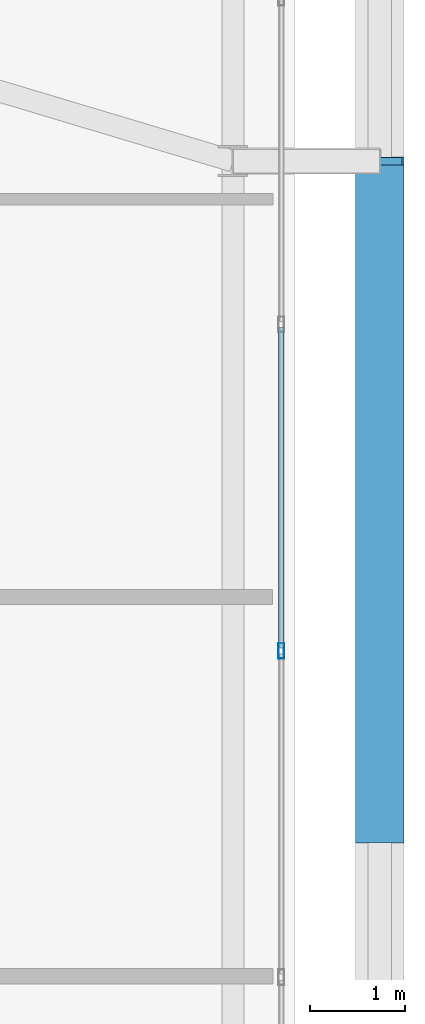
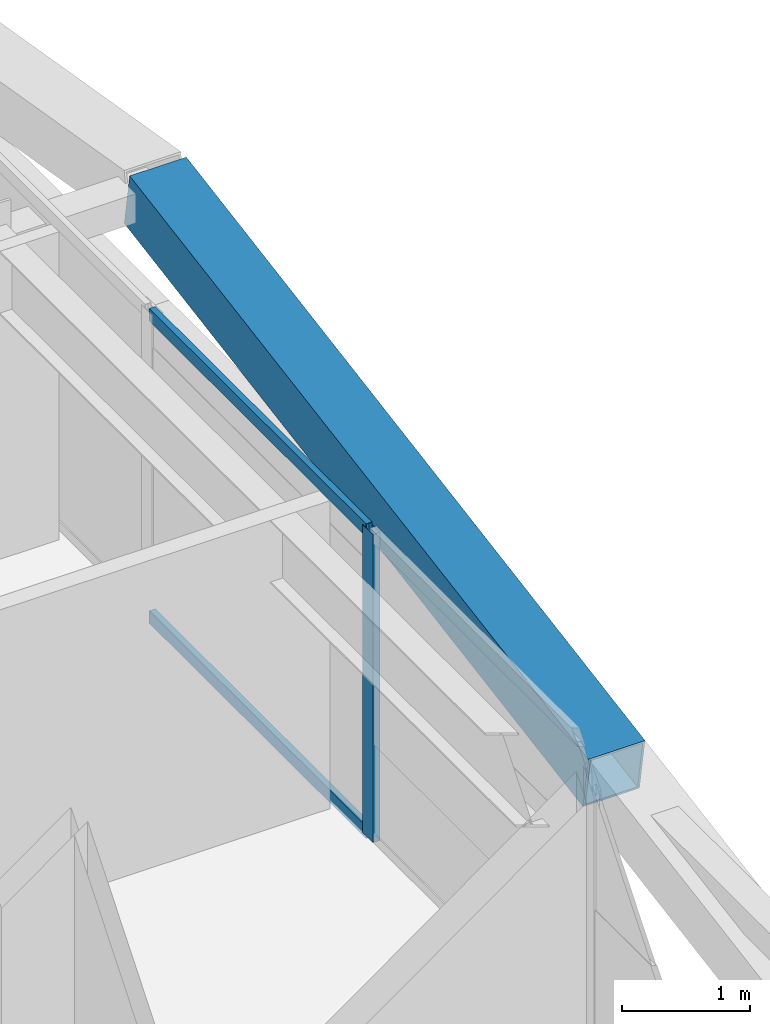
# One storey, part 28 of 59: 4 members, 1 element without a shape of its own.
"""IFC4 building model written with IfcOpenShell, lengths in metres."""

import ifcopenshell
import ifcopenshell.guid

model = None  # the IFC model being written
_history = None  # IfcOwnerHistory: only IFC2X3 demands one
_inside = {}  # id of a spatial element -> (the spatial element, [elements in it])
_under = {}  # id of a project, library or spatial element -> (it, [spatial elements below it])
_declared = {}  # id of a project -> (the project, [libraries it declares])
_typed = {}  # id of a type object -> (the type object, [elements of that type])
_made_of = {}  # id of a material, layer set ... -> (it, [elements and type objects made of it])


def new_model(schema):
    """Start an empty IFC model of exactly this schema.

    Asked for "IFC4X3", IfcOpenShell would pick the latest addendum, in which some entities
    have other attributes; the version numbers below select the first issue.
    IFC2X3 requires an IfcOwnerHistory on every rooted entity: one is made here for all.
    """
    global model, _history
    if schema == "IFC4X3":
        model = ifcopenshell.file(schema_version=(4, 3, 0, 0))
    else:
        model = ifcopenshell.file(schema=schema)
    _inside.clear()
    _under.clear()
    _declared.clear()
    _typed.clear()
    _made_of.clear()
    _history = None
    if model.schema == "IFC2X3":
        org = make("IfcOrganization", Name="unknown")
        user = make(
            "IfcPersonAndOrganization",
            ThePerson=make("IfcPerson", FamilyName="unknown"),
            TheOrganization=org,
        )
        app = make(
            "IfcApplication",
            ApplicationDeveloper=org,
            Version="unknown",
            ApplicationFullName="unknown",
            ApplicationIdentifier="unknown",
        )
        _history = make(
            "IfcOwnerHistory",
            OwningUser=user,
            OwningApplication=app,
            ChangeAction="ADDED",
            CreationDate=0,
        )
    return model


def make(cls, **values):
    """One entity of the class cls with the attributes given. An attribute that is None is left unset."""
    return model.create_entity(
        cls, **{name: value for name, value in values.items() if value is not None}
    )


def rooted(cls, **values):
    """An entity with a GlobalId (a new one), such as an element, a storey or a relation."""
    return make(cls, GlobalId=ifcopenshell.guid.new(), OwnerHistory=_history, **values)


def si_unit(unit_type, name, prefix=None):
    """IfcSIUnit, for example si_unit("LENGTHUNIT", "METRE", prefix="MILLI")."""
    return make("IfcSIUnit", UnitType=unit_type, Prefix=prefix, Name=name)


def assignment(units):
    """IfcUnitAssignment: the units of a project."""
    return None if units is None else make("IfcUnitAssignment", Units=units)


def point(xyz):
    """IfcCartesianPoint."""
    return None if xyz is None else make("IfcCartesianPoint", Coordinates=xyz)


def direction(xyz):
    """IfcDirection."""
    return None if xyz is None else make("IfcDirection", DirectionRatios=xyz)


def frame(location, z_axis=None, x_axis=None):
    """IfcAxis2Placement3D, a coordinate frame: its origin and axes. An axis left out is left unset."""
    return make(
        "IfcAxis2Placement3D",
        Location=point(location),
        Axis=direction(z_axis),
        RefDirection=direction(x_axis),
    )


def frame_2d(location, x_axis=None):
    """IfcAxis2Placement2D, a coordinate frame in the plane: its origin and x axis."""
    return make(
        "IfcAxis2Placement2D", Location=point(location), RefDirection=direction(x_axis)
    )


def origin():
    """The frame at (0, 0, 0) with its axes left unset."""
    return frame((0.0, 0.0, 0.0))


def origin_2d():
    """The frame at (0, 0) in the plane with its x axis left unset."""
    return frame_2d((0.0, 0.0))


def place(relative_to, where):
    """IfcLocalPlacement: puts the frame where relative to a parent placement (None: the world)."""
    return make(
        "IfcLocalPlacement", PlacementRelTo=relative_to, RelativePlacement=where
    )


def context(
    kind, dimensions, precision=None, world=None, true_north=None, identifier=None
):
    """IfcGeometricRepresentationContext, for example the 3D "Model" context."""
    return make(
        "IfcGeometricRepresentationContext",
        ContextIdentifier=identifier,
        ContextType=kind,
        CoordinateSpaceDimension=dimensions,
        Precision=precision,
        WorldCoordinateSystem=world,
        TrueNorth=true_north,
    )


def subcontext(parent, identifier, kind, view, scale=None):
    """IfcGeometricRepresentationSubContext, for example "Body" below "Model"."""
    return make(
        "IfcGeometricRepresentationSubContext",
        ContextIdentifier=identifier,
        ContextType=kind,
        ParentContext=parent,
        TargetScale=scale,
        TargetView=view,
    )


def project(units=None, contexts=None):
    """IfcProject with its units and contexts."""
    return rooted(
        "IfcProject",
        Name="project",
        RepresentationContexts=contexts,
        UnitsInContext=assignment(units),
    )


def spatial(cls, under=None, at=None, **own):
    """A site, building, storey or space (cls), placed at a placement, below another one or the project."""
    s = rooted(cls, ObjectPlacement=at, **own)
    if under is not None:
        _under.setdefault(under.id(), (under, []))[1].append(s)
    return s


def profile(cls, at=None, kind="AREA", **sizes):
    """A parametric profile (cls). Its sizes go by their IFC names, for example OverallWidth=200.0."""
    return make(cls, ProfileType=kind, Position=at, **sizes)


def hollow_rectangle(**sizes):
    """IfcRectangleHollowProfileDef."""
    return profile("IfcRectangleHollowProfileDef", **sizes)


def extrude(swept, where, along, depth):
    """IfcExtrudedAreaSolid: the profile swept, set in the frame where, extruded along a direction by depth."""
    return make(
        "IfcExtrudedAreaSolid",
        SweptArea=swept,
        Position=where,
        ExtrudedDirection=direction(along),
        Depth=depth,
    )


def shape(context_of_items, identifier, shape_type, items):
    """IfcShapeRepresentation: the items that make up one representation, for example the "Body"."""
    return make(
        "IfcShapeRepresentation",
        ContextOfItems=context_of_items,
        RepresentationIdentifier=identifier,
        RepresentationType=shape_type,
        Items=items,
    )


def source(mapping_origin, context_of_items, identifier, shape_type, items):
    """IfcRepresentationMap: a shape defined once, which mapped items show again and again."""
    return make(
        "IfcRepresentationMap",
        MappingOrigin=mapping_origin,
        MappedRepresentation=shape(context_of_items, identifier, shape_type, items),
    )


def transform(
    local_origin,
    x_axis=None,
    y_axis=None,
    z_axis=None,
    scale=None,
    scale2=None,
    scale3=None,
    uniform=True,
):
    """IfcCartesianTransformationOperator3D, or its non-uniform kind. x_axis, y_axis, z_axis: its Axis1, 2, 3."""
    if uniform:
        return make(
            "IfcCartesianTransformationOperator3D",
            Axis1=direction(x_axis),
            Axis2=direction(y_axis),
            LocalOrigin=point(local_origin),
            Scale=scale,
            Axis3=direction(z_axis),
        )
    return make(
        "IfcCartesianTransformationOperator3DnonUniform",
        Axis1=direction(x_axis),
        Axis2=direction(y_axis),
        LocalOrigin=point(local_origin),
        Scale=scale,
        Axis3=direction(z_axis),
        Scale2=scale2,
        Scale3=scale3,
    )


def mapped(mapping_source, mapping_target):
    """IfcMappedItem: shows the shape of a source again, moved by a transform."""
    return make(
        "IfcMappedItem", MappingSource=mapping_source, MappingTarget=mapping_target
    )


def material(Name=None, Category=None):
    """IfcMaterial."""
    return make("IfcMaterial", Name=Name, Category=Category)


def layer(
    of_material, thickness, ventilated=None, Name=None, Category=None, Priority=None
):
    """IfcMaterialLayer: one layer of a wall or slab, of a material (None: an air gap)."""
    return make(
        "IfcMaterialLayer",
        Material=of_material,
        LayerThickness=thickness,
        IsVentilated=ventilated,
        Name=Name,
        Category=Category,
        Priority=Priority,
    )


def layer_set(layers, Name=None):
    """IfcMaterialLayerSet."""
    return make("IfcMaterialLayerSet", MaterialLayers=layers, LayerSetName=Name)


def material_profile(
    of_material, cross_section, Name=None, Category=None, Priority=None
):
    """IfcMaterialProfile: a cross section and its material."""
    return make(
        "IfcMaterialProfile",
        Name=Name,
        Material=of_material,
        Profile=cross_section,
        Priority=Priority,
        Category=Category,
    )


def profile_set(profiles, Name=None, composite=None):
    """IfcMaterialProfileSet."""
    return make(
        "IfcMaterialProfileSet",
        Name=Name,
        MaterialProfiles=profiles,
        CompositeProfile=composite,
    )


def made_of(thing, what):
    """Note that an element or type object is made of a material, layer set ...; save() writes the relation."""
    if what is not None:
        _made_of.setdefault(what.id(), (what, []))[1].append(thing)
    return thing


def type_object(cls, material=None, **own):
    """A type object (cls), such as IfcWallType, which elements share."""
    return made_of(rooted(cls, **own), material)


def element(
    cls,
    number,
    at=None,
    inside=None,
    cuts=None,
    type_object=None,
    material=None,
    context=None,
    identifier="Body",
    shape_type=None,
    held_by="IfcProductDefinitionShape",
    body=None,
    shapes=None,
    **own,
):
    """One element of the class cls, such as IfcWall. Its Tag is "e" and its number.

    at: its placement. inside: the storey or other place that contains it. cuts: it is an
    opening in that element (IfcRelVoidsElement). A single representation is given by context,
    identifier, shape_type and body (its items); several are given by shapes. held_by: the class
    of the entity that holds the representations. save() writes the other relations.
    """
    e = rooted(cls, Tag="e%d" % number, ObjectPlacement=at, **own)
    if body is not None:
        shapes = [shape(context, identifier, shape_type, body)]
    if shapes is not None:
        e.Representation = make(held_by, Representations=shapes)
    if inside is not None:
        _inside.setdefault(inside.id(), (inside, []))[1].append(e)
    if cuts is not None:
        rooted(
            "IfcRelVoidsElement", RelatingBuildingElement=cuts, RelatedOpeningElement=e
        )
    if type_object is not None:
        _typed.setdefault(type_object.id(), (type_object, []))[1].append(e)
    return made_of(e, material)


def aggregate(whole, parts):
    """IfcRelAggregates: a whole, such as a stair, and the parts it consists of."""
    return rooted("IfcRelAggregates", RelatingObject=whole, RelatedObjects=parts)


def save(model, path):
    """Write the relations noted so far, then the file.

    IfcRelAggregates (storeys below a building ...), IfcRelContainedInSpatialStructure (elements
    in a storey), IfcRelDefinesByType, IfcRelAssociatesMaterial and IfcRelDeclares: one each for
    every whole, place, type object, material and project.
    """
    for whole, parts in _under.values():
        aggregate(whole, parts)
    for where, things in _inside.values():
        rooted(
            "IfcRelContainedInSpatialStructure",
            RelatedElements=things,
            RelatingStructure=where,
        )
    for kind, things in _typed.values():
        rooted("IfcRelDefinesByType", RelatedObjects=things, RelatingType=kind)
    for what, things in _made_of.values():
        rooted("IfcRelAssociatesMaterial", RelatedObjects=things, RelatingMaterial=what)
    for by, libraries in _declared.values():
        rooted("IfcRelDeclares", RelatingContext=by, RelatedDefinitions=libraries)
    model.write(path)


model = new_model("IFC4")

# Units and contexts
model_context = context("Model", 3, precision=1e-05, world=origin(), true_north=direction((0.0, 1.0)))
body_context = subcontext(model_context, "Body", "Model", "MODEL_VIEW")
ifc_project = project(units=[si_unit("LENGTHUNIT", "METRE"), si_unit("AREAUNIT", "SQUARE_METRE"), si_unit("VOLUMEUNIT", "CUBIC_METRE"), si_unit("PLANEANGLEUNIT", "RADIAN"), si_unit("MASSUNIT", "GRAM", prefix="KILO")], contexts=[model_context])

# Site, building, storey
site_placement = place(None, origin())
site = spatial("IfcSite", under=ifc_project, at=site_placement, CompositionType="ELEMENT")
building_placement = place(site_placement, origin())
building = spatial("IfcBuilding", under=site, at=building_placement, Name="Taldren Reach Tower", CompositionType="ELEMENT")
storey_placement = place(building_placement, frame((0.0, 0.0, 23.10009765625)))
storey = spatial("IfcBuildingStorey", under=building, at=storey_placement, Name="L06", CompositionType="ELEMENT", Elevation=23.10009765625)

# Member
ifc_material_1 = material(Name="Steel Gr 450 (C450L0)", Category="steel")
ifc_material_profile_1 = material_profile(ifc_material_1, hollow_rectangle(XDim=0.510009765625, YDim=0.510009765625, WallThickness=0.02001953125, at=origin_2d()), Name="510x510x20.0SHS")
ifc_profile_set_1 = profile_set([ifc_material_profile_1], Name="Steel Gr 450 (C450L0)")
member_type_1 = type_object("IfcMemberType", Name="MB-EXO508", PredefinedType="BRACE", material=ifc_profile_set_1)
shared_shape_1 = source(origin(), body_context, "Body", "SweptSolid", [
    extrude(hollow_rectangle(XDim=0.510009765625, YDim=0.510009765625, WallThickness=0.02001953125, at=origin_2d()), origin(), (0.0, 0.0, 1.0), 7.25244140625),
])
member_1_placement = place(storey_placement, frame((65.89990234375, 12.85009765625, 1.434814453125), z_axis=(0.0, 0.985864855729, 0.167542490848), x_axis=(-1.0, 0.0, 0.0)))
element("IfcMember", 1, at=member_1_placement, inside=storey, type_object=member_type_1, Name="Exoskeleton Diagrid Brace B1-E1 L06", PredefinedType="BRACE", context=body_context, shape_type="MappedRepresentation", body=[
    mapped(shared_shape_1, transform((0.0, 0.0, 0.0), scale=1.0)),
])

# Curtain wall, members
ifc_material_2 = material(Name="Aluminium and Low-E Glass Unitised System", Category="aluminium")
ifc_layer = layer(ifc_material_2, 0.159912109375)
ifc_layer_set = layer_set([ifc_layer], Name="Aluminium and Low-E Glass Unitised System")
curtain_wall_type = type_object("IfcCurtainWallType", Name="CW-SYS-2", PredefinedType="NOTDEFINED", material=ifc_layer_set)
curtain_wall_placement = place(storey_placement, origin())
curtain_wall = element("IfcCurtainWall", 2, at=curtain_wall_placement, inside=storey, type_object=curtain_wall_type, Name="Unitised curtain wall CW-L06-E", PredefinedType="NOTDEFINED")
ifc_material_3 = material(Name="Anodised Aluminium 6063-T6", Category="aluminium")
ifc_material_profile_2 = material_profile(ifc_material_3, hollow_rectangle(XDim=0.06494140625, YDim=0.1650390625, WallThickness=0.00390625, at=origin_2d()), Name="ALU-165x65x4RHS")
ifc_profile_set_2 = profile_set([ifc_material_profile_2], Name="Anodised Aluminium 6063-T6")
member_type_2 = type_object("IfcMemberType", Name="CW-MUL-165", PredefinedType="MULLION", material=ifc_profile_set_2)
shared_shape_2 = source(origin(), body_context, "Body", "SweptSolid", [
    extrude(hollow_rectangle(XDim=0.06494140625, YDim=0.1650390625, WallThickness=0.00390625, at=origin_2d()), origin(), (0.0, 0.0, 1.0), 2.929931640625),
])
member_2_placement = place(storey_placement, frame((64.860107421875, 14.833251953125, 0.0), z_axis=(0.0, 0.0, 1.0), x_axis=(-1.0, 0.0, 0.0)))
member_2 = element("IfcMember", 3, at=member_2_placement, type_object=member_type_2, Name="CW-2 mullion 4", PredefinedType="MULLION", context=body_context, shape_type="MappedRepresentation", body=[
    mapped(shared_shape_2, transform((0.0, 0.0, 0.0), scale=1.0)),
])
ifc_material_profile_3 = material_profile(ifc_material_3, hollow_rectangle(XDim=0.054931640625, YDim=0.1201171875, WallThickness=0.0029296875, at=origin_2d()), Name="ALU-120x55x3RHS")
ifc_profile_set_3 = profile_set([ifc_material_profile_3], Name="Anodised Aluminium 6063-T6")
member_type_3 = type_object("IfcMemberType", Name="CW-TRN-135", PredefinedType="USERDEFINED", material=ifc_profile_set_3)
shared_shape_3 = source(origin(), body_context, "Body", "SweptSolid", [
    extrude(hollow_rectangle(XDim=0.054931640625, YDim=0.1201171875, WallThickness=0.0029296875, at=origin_2d()), origin(), (0.0, 0.0, 1.0), 3.379638671875),
])
member_3_placement = place(storey_placement, frame((64.860107421875, 14.86572265625, 0.02734375), z_axis=(0.0, 1.0, 0.0), x_axis=(-1.0, 0.0, 0.0)))
member_3 = element("IfcMember", 4, at=member_3_placement, type_object=member_type_3, Name="CW-2 transom 4.1", ObjectType="TRANSOM", PredefinedType="USERDEFINED", context=body_context, shape_type="MappedRepresentation", body=[
    mapped(shared_shape_3, transform((0.0, 0.0, 0.0), scale=1.0)),
])
member_4_placement = place(storey_placement, frame((64.860107421875, 14.86572265625, 2.90234375), z_axis=(0.0, 1.0, 0.0), x_axis=(-1.0, 0.0, 0.0)))
member_4 = element("IfcMember", 5, at=member_4_placement, type_object=member_type_3, Name="CW-2 transom 4.2", ObjectType="TRANSOM", PredefinedType="USERDEFINED", context=body_context, shape_type="MappedRepresentation", body=[
    mapped(shared_shape_3, transform((0.0, 0.0, 0.0), scale=1.0)),
])
aggregate(curtain_wall, [member_2, member_3, member_4])

save(model, "model.ifc")
